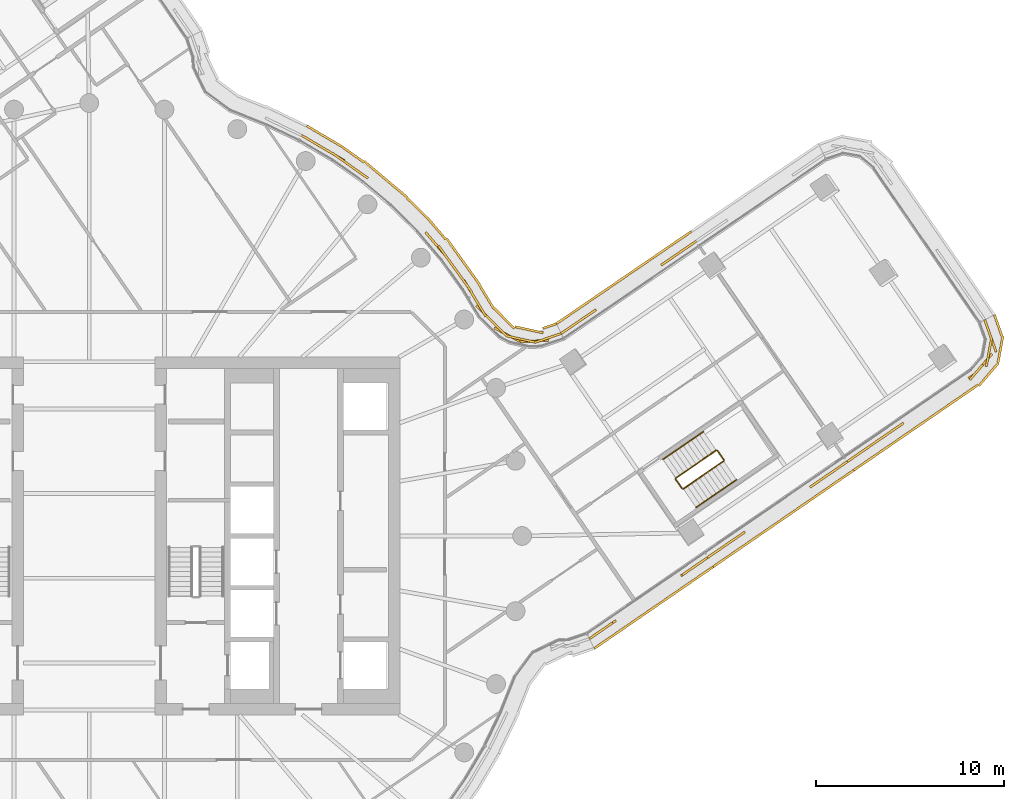
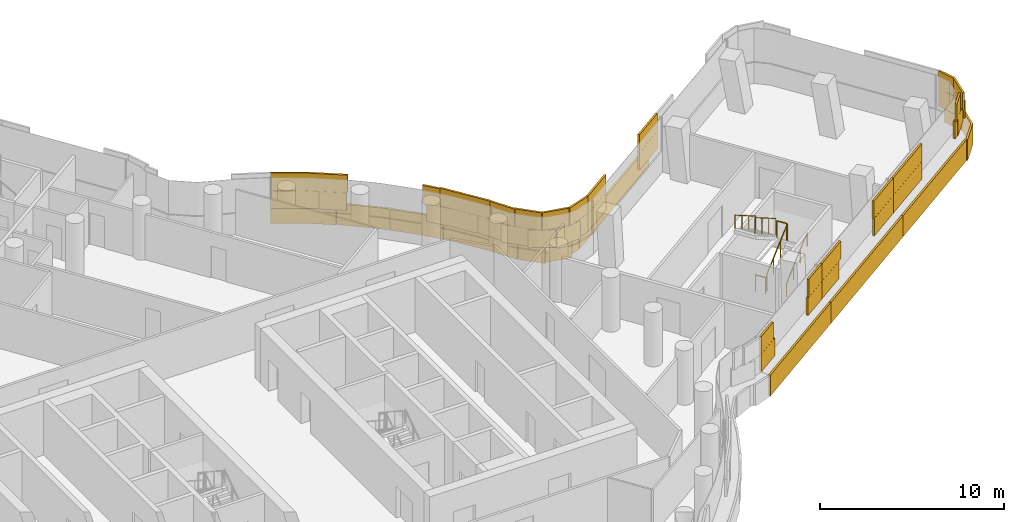
# One storey, part 31 of 33: 6 railings, 5 coverings.
"""IFC4 building model written with IfcOpenShell, lengths in metres."""

from ifc_helpers import new_model, si_unit, direction, frame, origin, origin_2d, place, context, subcontext, project, spatial, rectangle, circle, extrude, material, layer, layer_set, type_object, element, save


model = new_model("IFC4")

# Units and contexts
model_context = context("Model", 3, precision=1e-05, world=origin(), true_north=direction((0.0, 1.0)))
body_context = subcontext(model_context, "Body", "Model", "MODEL_VIEW")
ifc_project = project(units=[si_unit("LENGTHUNIT", "METRE"), si_unit("AREAUNIT", "SQUARE_METRE"), si_unit("VOLUMEUNIT", "CUBIC_METRE"), si_unit("PLANEANGLEUNIT", "RADIAN"), si_unit("MASSUNIT", "GRAM", prefix="KILO")], contexts=[model_context])

# Site, building, storey
site_placement = place(None, origin())
site = spatial("IfcSite", under=ifc_project, at=site_placement, CompositionType="ELEMENT")
building_placement = place(site_placement, origin())
building = spatial("IfcBuilding", under=site, at=building_placement, Name="Tamarind Cross Interchange Tower", CompositionType="ELEMENT")
storey_placement = place(building_placement, frame((0.0, 0.0, 159.25)))
storey = spatial("IfcBuildingStorey", under=building, at=storey_placement, Name="L39", CompositionType="ELEMENT", Elevation=159.25)

# Railings
ifc_material_1 = material(Name="Stair guard")
railing_type_1 = type_object("IfcRailingType", Name="Stair guard", PredefinedType="GUARDRAIL", material=ifc_material_1)
railing_1_placement = place(storey_placement, frame((31.562744140625, 2.503173828125, 0.17041015625)))
element("IfcRailing", 1, at=railing_1_placement, inside=storey, type_object=railing_type_1, Name="L39 ST3 stair guard 1", PredefinedType="GUARDRAIL", context=body_context, shape_type="SweptSolid", body=[
    extrude(circle(Radius=0.02392578125, at=origin_2d()), frame((0.0, 0.0, 1.076171875), z_axis=(0.689386001796, 0.473437544689, 0.548273500916), x_axis=(-0.566110318979, 0.824329489188, 0.0)), (0.0, 0.0, 1.0), 3.109130859375),
    extrude(circle(Radius=0.02099609375, at=origin_2d()), origin(), (0.0, 0.0, 1.0), 1.052001953125),
    extrude(circle(Radius=0.02099609375, at=origin_2d()), frame((0.71435546875, 0.49072265625, 0.568115234375)), (0.0, 0.0, 1.0), 1.052001953125),
    extrude(circle(Radius=0.02099609375, at=origin_2d()), frame((1.428955078125, 0.981201171875, 1.136474609375)), (0.0, 0.0, 1.0), 1.052001953125),
    extrude(circle(Radius=0.02099609375, at=origin_2d()), frame((2.143310546875, 1.471923828125, 1.70458984375)), (0.0, 0.0, 1.0), 1.052001953125),
])
railing_2_placement = place(storey_placement, frame((33.718994140625, 4.04443359375, 1.875)))
element("IfcRailing", 2, at=railing_2_placement, inside=storey, type_object=railing_type_1, Name="L39 ST3 stair guard 2", PredefinedType="GUARDRAIL", context=body_context, shape_type="SweptSolid", body=[
    extrude(circle(Radius=0.02392578125, at=origin_2d()), frame((0.0, 0.0, 1.076171875), z_axis=(-0.566010630303, 0.824397941764, 0.0), x_axis=(-0.824397941764, -0.566010630303, 0.0)), (0.0, 0.0, 1.0), 0.60009765625),
    extrude(circle(Radius=0.02099609375, at=origin_2d()), origin(), (0.0, 0.0, 1.0), 1.052001953125),
    extrude(circle(Radius=0.02099609375, at=origin_2d()), frame((-0.339599609375, 0.49462890625, 0.0)), (0.0, 0.0, 1.0), 1.052001953125),
])
railing_3_placement = place(storey_placement, frame((33.309814453125, 4.552001953125, 2.04541015625)))
element("IfcRailing", 3, at=railing_3_placement, inside=storey, type_object=railing_type_1, Name="L39 ST3 stair guard 3", PredefinedType="GUARDRAIL", context=body_context, shape_type="SweptSolid", body=[
    extrude(circle(Radius=0.02392578125, at=origin_2d()), frame((0.0, 0.0, 1.076171875), z_axis=(-0.689386001796, -0.473437544689, 0.548273500916), x_axis=(0.566110318979, -0.824329489188, 0.0)), (0.0, 0.0, 1.0), 3.109130859375),
    extrude(circle(Radius=0.02099609375, at=origin_2d()), origin(), (0.0, 0.0, 1.0), 1.052001953125),
    extrude(circle(Radius=0.02099609375, at=origin_2d()), frame((-0.71435546875, -0.49072265625, 0.568115234375)), (0.0, 0.0, 1.0), 1.052001953125),
    extrude(circle(Radius=0.02099609375, at=origin_2d()), frame((-1.428955078125, -0.981201171875, 1.136474609375)), (0.0, 0.0, 1.0), 1.052001953125),
    extrude(circle(Radius=0.02099609375, at=origin_2d()), frame((-2.143310546875, -1.471923828125, 1.70458984375)), (0.0, 0.0, 1.0), 1.052001953125),
])
railing_4_placement = place(storey_placement, frame((31.4931640625, 2.51611328125, 0.0)))
element("IfcRailing", 4, at=railing_4_placement, inside=storey, type_object=railing_type_1, Name="L39 ST3 stair guard 4", PredefinedType="GUARDRAIL", context=body_context, shape_type="SweptSolid", body=[
    extrude(circle(Radius=0.02392578125, at=origin_2d()), frame((0.0, 0.0, 1.076171875), z_axis=(-0.566010630303, 0.824397941764, 0.0), x_axis=(-0.824397941764, -0.566010630303, 0.0)), (0.0, 0.0, 1.0), 0.60009765625),
    extrude(circle(Radius=0.02099609375, at=origin_2d()), origin(), (0.0, 0.0, 1.0), 1.052001953125),
    extrude(circle(Radius=0.02099609375, at=origin_2d()), frame((-0.339599609375, 0.49462890625, 0.0)), (0.0, 0.0, 1.0), 1.052001953125),
])
ifc_material_2 = material(Name="Stair handrail")
railing_type_2 = type_object("IfcRailingType", Name="Stair handrail", PredefinedType="HANDRAIL", material=ifc_material_2)
railing_5_placement = place(storey_placement, frame((32.2421875, 1.513916015625, 0.17041015625)))
element("IfcRailing", 5, at=railing_5_placement, inside=storey, type_object=railing_type_2, Name="L39 ST3 stair handrail 1", PredefinedType="HANDRAIL", context=body_context, shape_type="SweptSolid", body=[
    extrude(circle(Radius=0.02392578125, at=origin_2d()), frame((0.0, 0.0, 0.8759765625), z_axis=(0.689386001796, 0.473437544689, 0.548273500916), x_axis=(-0.566110318979, 0.824329489188, 0.0)), (0.0, 0.0, 1.0), 3.109130859375),
    extrude(circle(Radius=0.02099609375, at=origin_2d()), origin(), (0.0, 0.0, 1.0), 0.851806640625),
    extrude(circle(Radius=0.02099609375, at=origin_2d()), frame((0.71435546875, 0.49072265625, 0.568115234375)), (0.0, 0.0, 1.0), 0.851806640625),
    extrude(circle(Radius=0.02099609375, at=origin_2d()), frame((1.428955078125, 0.981201171875, 1.136474609375)), (0.0, 0.0, 1.0), 0.851806640625),
    extrude(circle(Radius=0.02099609375, at=origin_2d()), frame((2.143310546875, 1.471923828125, 1.70458984375)), (0.0, 0.0, 1.0), 0.851806640625),
])
railing_6_placement = place(storey_placement, frame((32.63037109375, 5.541259765625, 2.04541015625)))
element("IfcRailing", 6, at=railing_6_placement, inside=storey, type_object=railing_type_2, Name="L39 ST3 stair handrail 2", PredefinedType="HANDRAIL", context=body_context, shape_type="SweptSolid", body=[
    extrude(circle(Radius=0.02392578125, at=origin_2d()), frame((0.0, 0.0, 0.8759765625), z_axis=(-0.689344791798, -0.473463174954, 0.54830318254), x_axis=(0.56615414009, -0.824299393218, 0.0)), (0.0, 0.0, 1.0), 3.10888671875),
    extrude(circle(Radius=0.02099609375, at=origin_2d()), origin(), (0.0, 0.0, 1.0), 0.851806640625),
    extrude(circle(Radius=0.02099609375, at=origin_2d()), frame((-0.71435546875, -0.49072265625, 0.568115234375)), (0.0, 0.0, 1.0), 0.851806640625),
    extrude(circle(Radius=0.02099609375, at=origin_2d()), frame((-1.4287109375, -0.981201171875, 1.136474609375)), (0.0, 0.0, 1.0), 0.851806640625),
    extrude(circle(Radius=0.02099609375, at=origin_2d()), frame((-2.14306640625, -1.471923828125, 1.70458984375)), (0.0, 0.0, 1.0), 0.851806640625),
])

# Coverings
ifc_material_3 = material(Name="Terracotta", Category="masonry")
ifc_layer = layer(ifc_material_3, 0.1201171875)
ifc_layer_set = layer_set([ifc_layer], Name="Terracotta")
covering_type = type_object("IfcCoveringType", Name="Terracotta baguette screen unit", PredefinedType="MOLDING", material=ifc_layer_set)
covering_1_placement = place(storey_placement, origin())
element("IfcCovering", 7, at=covering_1_placement, inside=storey, type_object=covering_type, Name="SCR-L39-07-00", PredefinedType="MOLDING", context=body_context, shape_type="SweptSolid", body=[
    extrude(rectangle(XDim=0.760009765625, YDim=0.1201171875, at=origin_2d()), frame((26.87939453125, -5.25, 1.404052734375), z_axis=(0.0, 0.0, 1.0), x_axis=(0.824339660174, 0.566095508429, 0.0)), (0.0, 0.0, 1.0), 1.1669921875),
    extrude(rectangle(XDim=0.969970703125, YDim=0.1201171875, at=origin_2d()), frame((27.583984375, -4.76611328125, 1.404052734375), z_axis=(0.0, 0.0, 1.0), x_axis=(0.824339660174, 0.566095508429, 0.0)), (0.0, 0.0, 1.0), 1.1669921875),
    extrude(rectangle(XDim=0.85009765625, YDim=0.1201171875, at=origin_2d()), frame((31.788330078125, -1.87890625, 1.404052734375), z_axis=(0.0, 0.0, 1.0), x_axis=(0.824339660174, 0.566095508429, 0.0)), (0.0, 0.0, 1.0), 1.1669921875),
    extrude(rectangle(XDim=0.8798828125, YDim=0.1201171875, at=origin_2d()), frame((32.492919921875, -1.39501953125, 1.404052734375), z_axis=(0.0, 0.0, 1.0), x_axis=(0.824339660174, 0.566095508429, 0.0)), (0.0, 0.0, 1.0), 1.1669921875),
    extrude(rectangle(XDim=1.510009765625, YDim=0.1201171875, at=origin_2d()), frame((27.1884765625, -5.037841796875, 2.5791015625), z_axis=(0.0, 0.0, 1.0), x_axis=(0.824339660174, 0.566095508429, 0.0)), (0.0, 0.0, 1.0), 1.1669921875),
    extrude(rectangle(XDim=1.52001953125, YDim=0.1201171875, at=origin_2d()), frame((32.134521484375, -1.64111328125, 2.5791015625), z_axis=(0.0, 0.0, 1.0), x_axis=(0.824339660174, 0.566095508429, 0.0)), (0.0, 0.0, 1.0), 1.1669921875),
    extrude(rectangle(XDim=0.1298828125, YDim=0.1201171875, at=origin_2d()), frame((32.802001953125, -1.1826171875, 2.5791015625), z_axis=(0.0, 0.0, 1.0), x_axis=(0.824339660174, 0.566095508429, 0.0)), (0.0, 0.0, 1.0), 1.1669921875),
    extrude(rectangle(XDim=0.760009765625, YDim=0.1201171875, at=origin_2d()), frame((27.14306640625, -5.76513671875, 0.00390625), z_axis=(0.0, 0.0, 1.0), x_axis=(0.824339660174, 0.566095508429, 0.0)), (0.0, 0.0, 1.0), 1.39208984375),
    extrude(rectangle(XDim=1.52001953125, YDim=0.1201171875, at=origin_2d()), frame((28.06640625, -5.131103515625, 0.00390625), z_axis=(0.0, 0.0, 1.0), x_axis=(0.824339660174, 0.566095508429, 0.0)), (0.0, 0.0, 1.0), 1.39208984375),
    extrude(rectangle(XDim=1.52001953125, YDim=0.1201171875, at=origin_2d()), frame((29.302978515625, -4.281982421875, 0.00390625), z_axis=(0.0, 0.0, 1.0), x_axis=(0.824339660174, 0.566095508429, 0.0)), (0.0, 0.0, 1.0), 1.39208984375),
    extrude(rectangle(XDim=1.52001953125, YDim=0.1201171875, at=origin_2d()), frame((30.539306640625, -3.432861328125, 0.00390625), z_axis=(0.0, 0.0, 1.0), x_axis=(0.824339660174, 0.566095508429, 0.0)), (0.0, 0.0, 1.0), 1.39208984375),
    extrude(rectangle(XDim=1.52001953125, YDim=0.1201171875, at=origin_2d()), frame((31.77587890625, -2.583740234375, 0.00390625), z_axis=(0.0, 0.0, 1.0), x_axis=(0.824339660174, 0.566095508429, 0.0)), (0.0, 0.0, 1.0), 1.39208984375),
    extrude(rectangle(XDim=0.92724609375, YDim=0.1201171875, at=origin_2d()), frame((32.76806640625, -1.90234375, 0.00390625), z_axis=(0.0, 0.0, 1.0), x_axis=(0.824339660174, 0.566095508429, 0.0)), (0.0, 0.0, 1.0), 1.39208984375),
])
covering_2_placement = place(storey_placement, origin())
element("IfcCovering", 8, at=covering_2_placement, inside=storey, type_object=covering_type, Name="SCR-L39-07-01", PredefinedType="MOLDING", context=body_context, shape_type="SweptSolid", body=[
    extrude(rectangle(XDim=0.64013671875, YDim=0.1201171875, at=origin_2d()), frame((33.111328125, -0.970458984375, 1.404052734375), z_axis=(0.0, 0.0, 1.0), x_axis=(0.824339660174, 0.566095508429, 0.0)), (0.0, 0.0, 1.0), 1.1669921875),
    extrude(rectangle(XDim=1.52001953125, YDim=0.1201171875, at=origin_2d()), frame((33.9892578125, -0.367431640625, 1.404052734375), z_axis=(0.0, 0.0, 1.0), x_axis=(0.824339660174, 0.566095508429, 0.0)), (0.0, 0.0, 1.0), 1.1669921875),
    extrude(rectangle(XDim=1.52001953125, YDim=0.1201171875, at=origin_2d()), frame((38.935302734375, 3.029052734375, 1.404052734375), z_axis=(0.0, 0.0, 1.0), x_axis=(0.824339660174, 0.566095508429, 0.0)), (0.0, 0.0, 1.0), 1.1669921875),
    extrude(rectangle(XDim=0.888671875, YDim=0.1201171875, at=origin_2d()), frame((39.915771484375, 3.702392578125, 1.404052734375), z_axis=(0.0, 0.0, 1.0), x_axis=(0.824339660174, 0.566095508429, 0.0)), (0.0, 0.0, 1.0), 1.1669921875),
    extrude(rectangle(XDim=1.39013671875, YDim=0.1201171875, at=origin_2d()), frame((33.42041015625, -0.758056640625, 2.5791015625), z_axis=(0.0, 0.0, 1.0), x_axis=(0.824339660174, 0.566095508429, 0.0)), (0.0, 0.0, 1.0), 1.1669921875),
    extrude(rectangle(XDim=1.0341796875, YDim=0.1201171875, at=origin_2d()), frame((34.411376953125, -0.07763671875, 2.5791015625), z_axis=(0.0, 0.0, 1.0), x_axis=(0.824339660174, 0.566095508429, 0.0)), (0.0, 0.0, 1.0), 1.1669921875),
    extrude(rectangle(XDim=0.78564453125, YDim=0.1201171875, at=origin_2d()), frame((38.615478515625, 2.8095703125, 2.5791015625), z_axis=(0.0, 0.0, 1.0), x_axis=(0.824339660174, 0.566095508429, 0.0)), (0.0, 0.0, 1.0), 1.1669921875),
    extrude(rectangle(XDim=1.52001953125, YDim=0.1201171875, at=origin_2d()), frame((39.553466796875, 3.45361328125, 2.5791015625), z_axis=(0.0, 0.0, 1.0), x_axis=(0.824339660174, 0.566095508429, 0.0)), (0.0, 0.0, 1.0), 1.1669921875),
    extrude(rectangle(XDim=0.138671875, YDim=0.1201171875, at=origin_2d()), frame((40.224853515625, 3.91455078125, 2.5791015625), z_axis=(0.0, 0.0, 1.0), x_axis=(0.824339660174, 0.566095508429, 0.0)), (0.0, 0.0, 1.0), 1.1669921875),
    extrude(rectangle(XDim=0.5927734375, YDim=0.1201171875, at=origin_2d()), frame((33.39453125, -1.47216796875, 0.00390625), z_axis=(0.0, 0.0, 1.0), x_axis=(0.824339660174, 0.566095508429, 0.0)), (0.0, 0.0, 1.0), 1.39208984375),
    extrude(rectangle(XDim=1.52001953125, YDim=0.1201171875, at=origin_2d()), frame((34.2490234375, -0.885498046875, 0.00390625), z_axis=(0.0, 0.0, 1.0), x_axis=(0.824339660174, 0.566095508429, 0.0)), (0.0, 0.0, 1.0), 1.39208984375),
    extrude(rectangle(XDim=1.52001953125, YDim=0.1201171875, at=origin_2d()), frame((35.4853515625, -0.036376953125, 0.00390625), z_axis=(0.0, 0.0, 1.0), x_axis=(0.824339660174, 0.566095508429, 0.0)), (0.0, 0.0, 1.0), 1.39208984375),
    extrude(rectangle(XDim=1.52001953125, YDim=0.1201171875, at=origin_2d()), frame((36.721923828125, 0.812744140625, 0.00390625), z_axis=(0.0, 0.0, 1.0), x_axis=(0.824339660174, 0.566095508429, 0.0)), (0.0, 0.0, 1.0), 1.39208984375),
    extrude(rectangle(XDim=1.52001953125, YDim=0.1201171875, at=origin_2d()), frame((37.95849609375, 1.661865234375, 0.00390625), z_axis=(0.0, 0.0, 1.0), x_axis=(0.824339660174, 0.566095508429, 0.0)), (0.0, 0.0, 1.0), 1.39208984375),
    extrude(rectangle(XDim=1.52001953125, YDim=0.1201171875, at=origin_2d()), frame((39.195068359375, 2.510986328125, 0.00390625), z_axis=(0.0, 0.0, 1.0), x_axis=(0.824339660174, 0.566095508429, 0.0)), (0.0, 0.0, 1.0), 1.39208984375),
    extrude(rectangle(XDim=0.9921875, YDim=0.1201171875, at=origin_2d()), frame((40.2138671875, 3.2109375, 0.00390625), z_axis=(0.0, 0.0, 1.0), x_axis=(0.824339660174, 0.566095508429, 0.0)), (0.0, 0.0, 1.0), 1.39208984375),
])
covering_3_placement = place(storey_placement, origin())
element("IfcCovering", 9, at=covering_3_placement, inside=storey, type_object=covering_type, Name="SCR-L39-07-02", PredefinedType="MOLDING", context=body_context, shape_type="SweptSolid", body=[
    extrude(rectangle(XDim=0.63134765625, YDim=0.1201171875, at=origin_2d()), frame((40.533935546875, 4.126953125, 1.404052734375), z_axis=(0.0, 0.0, 1.0), x_axis=(0.824339660174, 0.566095508429, 0.0)), (0.0, 0.0, 1.0), 1.1669921875),
    extrude(rectangle(XDim=1.52001953125, YDim=0.1201171875, at=origin_2d()), frame((41.408203125, 4.727294921875, 1.404052734375), z_axis=(0.0, 0.0, 1.0), x_axis=(0.824339660174, 0.566095508429, 0.0)), (0.0, 0.0, 1.0), 1.1669921875),
    extrude(rectangle(XDim=1.502685546875, YDim=0.1201171875, at=origin_2d()), frame((42.641845703125, 5.574462890625, 1.404052734375), z_axis=(0.0, 0.0, 1.0), x_axis=(0.824339660174, 0.566095508429, 0.0)), (0.0, 0.0, 1.0), 1.1669921875),
    extrude(rectangle(XDim=0.3173828125, YDim=0.1201171875, at=origin_2d()), frame((46.845947265625, 8.46142578125, 1.404052734375), z_axis=(0.0, 0.0, 1.0), x_axis=(0.824339660174, 0.566095508429, 0.0)), (0.0, 0.0, 1.0), 1.1669921875),
    extrude(rectangle(XDim=1.52001953125, YDim=0.1201171875, at=origin_2d()), frame((47.473876953125, 9.10302734375, 1.404052734375), z_axis=(0.0, 0.0, 1.0), x_axis=(0.649734668468, 0.760161075424, 0.0)), (0.0, 0.0, 1.0), 1.1669921875),
    extrude(rectangle(XDim=1.52001953125, YDim=0.1201171875, at=origin_2d()), frame((47.927978515625, 10.487548828125, 1.404052734375), z_axis=(0.0, 0.0, 1.0), x_axis=(-0.333451468051, 0.942767266325, 0.0)), (0.0, 0.0, 1.0), 1.1669921875),
    extrude(rectangle(XDim=0.316650390625, YDim=0.1201171875, at=origin_2d()), frame((47.626708984375, 11.339111328125, 1.404052734375), z_axis=(0.0, 0.0, 1.0), x_axis=(-0.333451468051, 0.942767266325, 0.0)), (0.0, 0.0, 1.0), 1.1669921875),
    extrude(rectangle(XDim=1.38134765625, YDim=0.1201171875, at=origin_2d()), frame((40.843017578125, 4.339111328125, 2.5791015625), z_axis=(0.0, 0.0, 1.0), x_axis=(0.824339660174, 0.566095508429, 0.0)), (0.0, 0.0, 1.0), 1.1669921875),
    extrude(rectangle(XDim=1.52001953125, YDim=0.1201171875, at=origin_2d()), frame((42.026611328125, 5.15185546875, 2.5791015625), z_axis=(0.0, 0.0, 1.0), x_axis=(0.824339660174, 0.566095508429, 0.0)), (0.0, 0.0, 1.0), 1.1669921875),
    extrude(rectangle(XDim=0.752685546875, YDim=0.1201171875, at=origin_2d()), frame((42.950927734375, 5.78662109375, 2.5791015625), z_axis=(0.0, 0.0, 1.0), x_axis=(0.824339660174, 0.566095508429, 0.0)), (0.0, 0.0, 1.0), 1.1669921875),
    extrude(rectangle(XDim=1.0673828125, YDim=0.1201171875, at=origin_2d()), frame((47.13037109375, 8.701171875, 2.5791015625), z_axis=(0.0, 0.0, 1.0), x_axis=(0.649734668468, 0.760161075424, 0.0)), (0.0, 0.0, 1.0), 1.1669921875),
    extrude(rectangle(XDim=1.52001953125, YDim=0.1201171875, at=origin_2d()), frame((47.798583984375, 9.750732421875, 2.5791015625), z_axis=(0.0, 0.0, 1.0), x_axis=(0.182606190901, 0.98318613652, 0.0)), (0.0, 0.0, 1.0), 1.1669921875),
    extrude(rectangle(XDim=1.066650390625, YDim=0.1201171875, at=origin_2d()), frame((47.751708984375, 10.985595703125, 2.5791015625), z_axis=(0.0, 0.0, 1.0), x_axis=(-0.333451468051, 0.942767266325, 0.0)), (0.0, 0.0, 1.0), 1.1669921875),
    extrude(rectangle(XDim=0.52783203125, YDim=0.1201171875, at=origin_2d()), frame((40.840576171875, 3.64111328125, 0.00390625), z_axis=(0.0, 0.0, 1.0), x_axis=(0.824339660174, 0.566095508429, 0.0)), (0.0, 0.0, 1.0), 1.39208984375),
    extrude(rectangle(XDim=1.52001953125, YDim=0.1201171875, at=origin_2d()), frame((41.66796875, 4.20947265625, 0.00390625), z_axis=(0.0, 0.0, 1.0), x_axis=(0.824339660174, 0.566095508429, 0.0)), (0.0, 0.0, 1.0), 1.39208984375),
    extrude(rectangle(XDim=1.52001953125, YDim=0.1201171875, at=origin_2d()), frame((42.904541015625, 5.05859375, 0.00390625), z_axis=(0.0, 0.0, 1.0), x_axis=(0.824339660174, 0.566095508429, 0.0)), (0.0, 0.0, 1.0), 1.39208984375),
    extrude(rectangle(XDim=1.52001953125, YDim=0.1201171875, at=origin_2d()), frame((44.14111328125, 5.90771484375, 0.00390625), z_axis=(0.0, 0.0, 1.0), x_axis=(0.824339660174, 0.566095508429, 0.0)), (0.0, 0.0, 1.0), 1.39208984375),
    extrude(rectangle(XDim=1.52001953125, YDim=0.1201171875, at=origin_2d()), frame((45.37744140625, 6.7568359375, 0.00390625), z_axis=(0.0, 0.0, 1.0), x_axis=(0.824339660174, 0.566095508429, 0.0)), (0.0, 0.0, 1.0), 1.39208984375),
    extrude(rectangle(XDim=1.52001953125, YDim=0.1201171875, at=origin_2d()), frame((46.614013671875, 7.60595703125, 0.00390625), z_axis=(0.0, 0.0, 1.0), x_axis=(0.824339660174, 0.566095508429, 0.0)), (0.0, 0.0, 1.0), 1.39208984375),
    extrude(rectangle(XDim=1.52001953125, YDim=0.1201171875, at=origin_2d()), frame((47.7607421875, 8.554931640625, 0.00390625), z_axis=(0.0, 0.0, 1.0), x_axis=(0.649734668468, 0.760161075424, 0.0)), (0.0, 0.0, 1.0), 1.39208984375),
    extrude(rectangle(XDim=1.52001953125, YDim=0.1201171875, at=origin_2d()), frame((48.401611328125, 9.8544921875, 0.00390625), z_axis=(0.0, 0.0, 1.0), x_axis=(0.182606190901, 0.98318613652, 0.0)), (0.0, 0.0, 1.0), 1.39208984375),
    extrude(rectangle(XDim=1.237548828125, YDim=0.1201171875, at=origin_2d()), frame((48.2978515625, 11.162841796875, 0.00390625), z_axis=(0.0, 0.0, 1.0), x_axis=(-0.333451468051, 0.942767266325, 0.0)), (0.0, 0.0, 1.0), 1.39208984375),
])
covering_4_placement = place(storey_placement, origin())
element("IfcCovering", 10, at=covering_4_placement, inside=storey, type_object=covering_type, Name="SCR-L39-09-01", PredefinedType="MOLDING", context=body_context, shape_type="SweptSolid", body=[
    extrude(rectangle(XDim=0.06640625, YDim=0.1201171875, at=origin_2d()), frame((32.22412109375, 15.643798828125, 1.404052734375), z_axis=(0.0, 0.0, 1.0), x_axis=(-0.825569418072, -0.564300572341, 0.0)), (0.0, 0.0, 1.0), 1.1669921875),
    extrude(rectangle(XDim=1.52001953125, YDim=0.1201171875, at=origin_2d()), frame((31.581787109375, 15.20458984375, 1.404052734375), z_axis=(0.0, 0.0, 1.0), x_axis=(-0.825569418072, -0.564300572341, 0.0)), (0.0, 0.0, 1.0), 1.1669921875),
    extrude(rectangle(XDim=0.6982421875, YDim=0.1201171875, at=origin_2d()), frame((30.678466796875, 14.587158203125, 1.404052734375), z_axis=(0.0, 0.0, 1.0), x_axis=(-0.825569418072, -0.564300572341, 0.0)), (0.0, 0.0, 1.0), 1.1669921875),
    extrude(rectangle(XDim=1.12158203125, YDim=0.1201171875, at=origin_2d()), frame((26.468017578125, 11.709228515625, 1.404052734375), z_axis=(0.0, 0.0, 1.0), x_axis=(-0.825569418072, -0.564300572341, 0.0)), (0.0, 0.0, 1.0), 1.1669921875),
    extrude(rectangle(XDim=1.14306640625, YDim=0.1201171875, at=origin_2d()), frame((25.54150390625, 11.075927734375, 1.404052734375), z_axis=(0.0, 0.0, 1.0), x_axis=(-0.825569418072, -0.564300572341, 0.0)), (0.0, 0.0, 1.0), 1.1669921875),
    extrude(rectangle(XDim=0.81640625, YDim=0.1201171875, at=origin_2d()), frame((31.91455078125, 15.43212890625, 2.5791015625), z_axis=(0.0, 0.0, 1.0), x_axis=(-0.825569418072, -0.564300572341, 0.0)), (0.0, 0.0, 1.0), 1.1669921875),
    extrude(rectangle(XDim=1.4482421875, YDim=0.1201171875, at=origin_2d()), frame((30.988037109375, 14.798828125, 2.5791015625), z_axis=(0.0, 0.0, 1.0), x_axis=(-0.825569418072, -0.564300572341, 0.0)), (0.0, 0.0, 1.0), 1.1669921875),
    extrude(rectangle(XDim=0.37158203125, YDim=0.1201171875, at=origin_2d()), frame((26.777587890625, 11.9208984375, 2.5791015625), z_axis=(0.0, 0.0, 1.0), x_axis=(-0.825569418072, -0.564300572341, 0.0)), (0.0, 0.0, 1.0), 1.1669921875),
    extrude(rectangle(XDim=1.52001953125, YDim=0.1201171875, at=origin_2d()), frame((26.009033203125, 11.3955078125, 2.5791015625), z_axis=(0.0, 0.0, 1.0), x_axis=(-0.825569418072, -0.564300572341, 0.0)), (0.0, 0.0, 1.0), 1.1669921875),
    extrude(rectangle(XDim=0.39306640625, YDim=0.1201171875, at=origin_2d()), frame((25.23193359375, 10.8642578125, 2.5791015625), z_axis=(0.0, 0.0, 1.0), x_axis=(-0.825569418072, -0.564300572341, 0.0)), (0.0, 0.0, 1.0), 1.1669921875),
    extrude(rectangle(XDim=0.06787109375, YDim=0.1201171875, at=origin_2d()), frame((31.958740234375, 16.157470703125, 0.00390625), z_axis=(0.0, 0.0, 1.0), x_axis=(-0.825569418072, -0.564300572341, 0.0)), (0.0, 0.0, 1.0), 1.39208984375),
    extrude(rectangle(XDim=1.52001953125, YDim=0.1201171875, at=origin_2d()), frame((31.319580078125, 15.720703125, 0.00390625), z_axis=(0.0, 0.0, 1.0), x_axis=(-0.825569418072, -0.564300572341, 0.0)), (0.0, 0.0, 1.0), 1.39208984375),
    extrude(rectangle(XDim=1.52001953125, YDim=0.1201171875, at=origin_2d()), frame((30.081298828125, 14.874267578125, 0.00390625), z_axis=(0.0, 0.0, 1.0), x_axis=(-0.825569418072, -0.564300572341, 0.0)), (0.0, 0.0, 1.0), 1.39208984375),
    extrude(rectangle(XDim=1.52001953125, YDim=0.1201171875, at=origin_2d()), frame((28.843017578125, 14.02783203125, 0.00390625), z_axis=(0.0, 0.0, 1.0), x_axis=(-0.825569418072, -0.564300572341, 0.0)), (0.0, 0.0, 1.0), 1.39208984375),
    extrude(rectangle(XDim=1.52001953125, YDim=0.1201171875, at=origin_2d()), frame((27.604736328125, 13.181396484375, 0.00390625), z_axis=(0.0, 0.0, 1.0), x_axis=(-0.825569418072, -0.564300572341, 0.0)), (0.0, 0.0, 1.0), 1.39208984375),
    extrude(rectangle(XDim=1.52001953125, YDim=0.1201171875, at=origin_2d()), frame((26.3662109375, 12.3349609375, 0.00390625), z_axis=(0.0, 0.0, 1.0), x_axis=(-0.825569418072, -0.564300572341, 0.0)), (0.0, 0.0, 1.0), 1.39208984375),
    extrude(rectangle(XDim=1.139892578125, YDim=0.1201171875, at=origin_2d()), frame((25.284912109375, 11.595703125, 0.00390625), z_axis=(0.0, 0.0, 1.0), x_axis=(-0.825569418072, -0.564300572341, 0.0)), (0.0, 0.0, 1.0), 1.39208984375),
])
covering_5_placement = place(storey_placement, origin())
element("IfcCovering", 11, at=covering_5_placement, inside=storey, type_object=covering_type, Name="SCR-L39-10-00", PredefinedType="MOLDING", context=body_context, shape_type="SweptSolid", body=[
    extrude(rectangle(XDim=0.760009765625, YDim=0.1201171875, at=origin_2d()), frame((24.71875, 10.635009765625, 1.404052734375), z_axis=(0.0, 0.0, 1.0), x_axis=(-0.946291071378, -0.323315957278, 0.0)), (0.0, 0.0, 1.0), 1.1669921875),
    extrude(rectangle(XDim=1.52001953125, YDim=0.1201171875, at=origin_2d()), frame((23.6376953125, 10.356689453125, 1.404052734375), z_axis=(0.0, 0.0, 1.0), x_axis=(-0.998392899356, -0.056671143595, 0.0)), (0.0, 0.0, 1.0), 1.1669921875),
    extrude(rectangle(XDim=1.52001953125, YDim=0.1201171875, at=origin_2d()), frame((22.194091796875, 10.6982421875, 1.404052734375), z_axis=(0.0, 0.0, 1.0), x_axis=(-0.883104175136, 0.469176955805, 0.0)), (0.0, 0.0, 1.0), 1.1669921875),
    extrude(rectangle(XDim=1.52001953125, YDim=0.1201171875, at=origin_2d()), frame((21.093994140625, 11.705322265625, 1.404052734375), z_axis=(0.0, 0.0, 1.0), x_axis=(-0.706797406726, 0.707416020348, 0.0)), (0.0, 0.0, 1.0), 1.1669921875),
    extrude(rectangle(XDim=1.52001953125, YDim=0.1201171875, at=origin_2d()), frame((20.2861328125, 12.963623046875, 1.404052734375), z_axis=(0.0, 0.0, 1.0), x_axis=(-0.51624774387, 0.856439295542, 0.0)), (0.0, 0.0, 1.0), 1.1669921875),
    extrude(rectangle(XDim=1.52001953125, YDim=0.1201171875, at=origin_2d()), frame((19.432861328125, 14.1962890625, 1.404052734375), z_axis=(0.0, 0.0, 1.0), x_axis=(-0.584573890505, 0.811340475102, 0.0)), (0.0, 0.0, 1.0), 1.1669921875),
    extrude(rectangle(XDim=1.52001953125, YDim=0.1201171875, at=origin_2d()), frame((18.512939453125, 15.37939453125, 1.404052734375), z_axis=(0.0, 0.0, 1.0), x_axis=(-0.64957723968, 0.760295606781, 0.0)), (0.0, 0.0, 1.0), 1.1669921875),
    extrude(rectangle(XDim=1.52001953125, YDim=0.1201171875, at=origin_2d()), frame((14.148193359375, 19.4697265625, 1.404052734375), z_axis=(0.0, 0.0, 1.0), x_axis=(-0.816341886298, 0.577568978284, 0.0)), (0.0, 0.0, 1.0), 1.1669921875),
    extrude(rectangle(XDim=1.52001953125, YDim=0.1201171875, at=origin_2d()), frame((12.914794921875, 20.322021484375, 1.404052734375), z_axis=(0.0, 0.0, 1.0), x_axis=(-0.861248933065, 0.508183308752, 0.0)), (0.0, 0.0, 1.0), 1.1669921875),
    extrude(rectangle(XDim=1.141845703125, YDim=0.1201171875, at=origin_2d()), frame((11.781494140625, 20.99072265625, 1.404052734375), z_axis=(0.0, 0.0, 1.0), x_axis=(-0.861248933065, 0.508183308752, 0.0)), (0.0, 0.0, 1.0), 1.1669921875),
    extrude(rectangle(XDim=1.510009765625, YDim=0.1201171875, at=origin_2d()), frame((24.364013671875, 10.513671875, 2.5791015625), z_axis=(0.0, 0.0, 1.0), x_axis=(-0.946291071378, -0.323315957278, 0.0)), (0.0, 0.0, 1.0), 1.1669921875),
    extrude(rectangle(XDim=1.52001953125, YDim=0.1201171875, at=origin_2d()), frame((22.901123046875, 10.467529296875, 2.5791015625), z_axis=(0.0, 0.0, 1.0), x_axis=(-0.976799296806, 0.214156797137, 0.0)), (0.0, 0.0, 1.0), 1.1669921875),
    extrude(rectangle(XDim=1.52001953125, YDim=0.1201171875, at=origin_2d()), frame((21.6240234375, 11.174560546875, 2.5791015625), z_axis=(0.0, 0.0, 1.0), x_axis=(-0.706797406726, 0.707416020348, 0.0)), (0.0, 0.0, 1.0), 1.1669921875),
    extrude(rectangle(XDim=1.52001953125, YDim=0.1201171875, at=origin_2d()), frame((20.673095703125, 12.3212890625, 2.5791015625), z_axis=(0.0, 0.0, 1.0), x_axis=(-0.51624774387, 0.856439295542, 0.0)), (0.0, 0.0, 1.0), 1.1669921875),
    extrude(rectangle(XDim=1.52001953125, YDim=0.1201171875, at=origin_2d()), frame((19.871337890625, 13.587890625, 2.5791015625), z_axis=(0.0, 0.0, 1.0), x_axis=(-0.584573890505, 0.811340475102, 0.0)), (0.0, 0.0, 1.0), 1.1669921875),
    extrude(rectangle(XDim=1.52001953125, YDim=0.1201171875, at=origin_2d()), frame((18.994384765625, 14.804931640625, 2.5791015625), z_axis=(0.0, 0.0, 1.0), x_axis=(-0.584573890505, 0.811340475102, 0.0)), (0.0, 0.0, 1.0), 1.1669921875),
    extrude(rectangle(XDim=1.002685546875, YDim=0.1201171875, at=origin_2d()), frame((18.1904296875, 15.7568359375, 2.5791015625), z_axis=(0.0, 0.0, 1.0), x_axis=(-0.64957723968, 0.760295606781, 0.0)), (0.0, 0.0, 1.0), 1.1669921875),
    extrude(rectangle(XDim=0.8173828125, YDim=0.1201171875, at=origin_2d()), frame((14.477783203125, 19.236572265625, 2.5791015625), z_axis=(0.0, 0.0, 1.0), x_axis=(-0.816341886298, 0.577568978284, 0.0)), (0.0, 0.0, 1.0), 1.1669921875),
    extrude(rectangle(XDim=1.52001953125, YDim=0.1201171875, at=origin_2d()), frame((13.535888671875, 19.90283203125, 2.5791015625), z_axis=(0.0, 0.0, 1.0), x_axis=(-0.816341886298, 0.577568978284, 0.0)), (0.0, 0.0, 1.0), 1.1669921875),
    extrude(rectangle(XDim=1.52001953125, YDim=0.1201171875, at=origin_2d()), frame((12.268798828125, 20.703369140625, 2.5791015625), z_axis=(0.0, 0.0, 1.0), x_axis=(-0.861248933065, 0.508183308752, 0.0)), (0.0, 0.0, 1.0), 1.1669921875),
    extrude(rectangle(XDim=0.391845703125, YDim=0.1201171875, at=origin_2d()), frame((11.45849609375, 21.181396484375, 2.5791015625), z_axis=(0.0, 0.0, 1.0), x_axis=(-0.861248933065, 0.508183308752, 0.0)), (0.0, 0.0, 1.0), 1.1669921875),
    extrude(rectangle(XDim=0.760009765625, YDim=0.1201171875, at=origin_2d()), frame((24.45458984375, 11.151123046875, 0.00390625), z_axis=(0.0, 0.0, 1.0), x_axis=(-0.946291071378, -0.323315957278, 0.0)), (0.0, 0.0, 1.0), 1.39208984375),
    extrude(rectangle(XDim=1.52001953125, YDim=0.1201171875, at=origin_2d()), frame((23.372802734375, 10.95166015625, 0.00390625), z_axis=(0.0, 0.0, 1.0), x_axis=(-0.976799296806, 0.214156797137, 0.0)), (0.0, 0.0, 1.0), 1.39208984375),
    extrude(rectangle(XDim=1.52001953125, YDim=0.1201171875, at=origin_2d()), frame((22.049560546875, 11.560791015625, 0.00390625), z_axis=(0.0, 0.0, 1.0), x_axis=(-0.706797406726, 0.707416020348, 0.0)), (0.0, 0.0, 1.0), 1.39208984375),
    extrude(rectangle(XDim=1.52001953125, YDim=0.1201171875, at=origin_2d()), frame((21.10693359375, 12.7138671875, 0.00390625), z_axis=(0.0, 0.0, 1.0), x_axis=(-0.51624774387, 0.856439295542, 0.0)), (0.0, 0.0, 1.0), 1.39208984375),
    extrude(rectangle(XDim=1.52001953125, YDim=0.1201171875, at=origin_2d()), frame((20.298828125, 13.976318359375, 0.00390625), z_axis=(0.0, 0.0, 1.0), x_axis=(-0.584573890505, 0.811340475102, 0.0)), (0.0, 0.0, 1.0), 1.39208984375),
    extrude(rectangle(XDim=1.52001953125, YDim=0.1201171875, at=origin_2d()), frame((19.422119140625, 15.193115234375, 0.00390625), z_axis=(0.0, 0.0, 1.0), x_axis=(-0.584573890505, 0.811340475102, 0.0)), (0.0, 0.0, 1.0), 1.39208984375),
    extrude(rectangle(XDim=1.52001953125, YDim=0.1201171875, at=origin_2d()), frame((18.45068359375, 16.3359375, 0.00390625), z_axis=(0.0, 0.0, 1.0), x_axis=(-0.64957723968, 0.760295606781, 0.0)), (0.0, 0.0, 1.0), 1.39208984375),
    extrude(rectangle(XDim=1.52001953125, YDim=0.1201171875, at=origin_2d()), frame((17.4208984375, 17.425048828125, 0.00390625), z_axis=(0.0, 0.0, 1.0), x_axis=(-0.710143317658, 0.704057148523, 0.0)), (0.0, 0.0, 1.0), 1.39208984375),
    extrude(rectangle(XDim=1.52001953125, YDim=0.1201171875, at=origin_2d()), frame((16.33447265625, 18.4580078125, 0.00390625), z_axis=(0.0, 0.0, 1.0), x_axis=(-0.765858396687, 0.643009266048, 0.0)), (0.0, 0.0, 1.0), 1.39208984375),
    extrude(rectangle(XDim=1.52001953125, YDim=0.1201171875, at=origin_2d()), frame((15.185791015625, 19.42236328125, 0.00390625), z_axis=(0.0, 0.0, 1.0), x_axis=(-0.765858396687, 0.643009266048, 0.0)), (0.0, 0.0, 1.0), 1.39208984375),
    extrude(rectangle(XDim=1.52001953125, YDim=0.1201171875, at=origin_2d()), frame((13.96923828125, 20.29931640625, 0.00390625), z_axis=(0.0, 0.0, 1.0), x_axis=(-0.816341886298, 0.577568978284, 0.0)), (0.0, 0.0, 1.0), 1.39208984375),
    extrude(rectangle(XDim=1.52001953125, YDim=0.1201171875, at=origin_2d()), frame((12.708740234375, 21.110107421875, 0.00390625), z_axis=(0.0, 0.0, 1.0), x_axis=(-0.861248933065, 0.508183308752, 0.0)), (0.0, 0.0, 1.0), 1.39208984375),
    extrude(rectangle(XDim=0.58984375, YDim=0.1201171875, at=origin_2d()), frame((11.817626953125, 21.635986328125, 0.00390625), z_axis=(0.0, 0.0, 1.0), x_axis=(-0.861248933065, 0.508183308752, 0.0)), (0.0, 0.0, 1.0), 1.39208984375),
])

save(model, "model.ifc")
